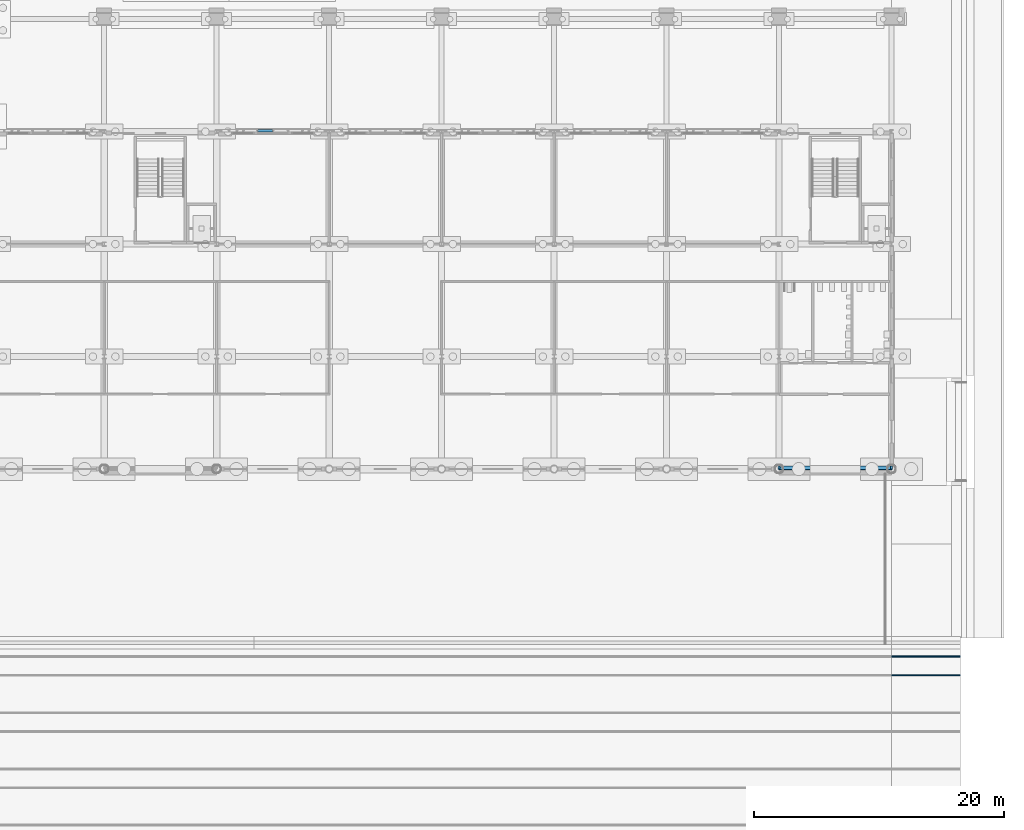
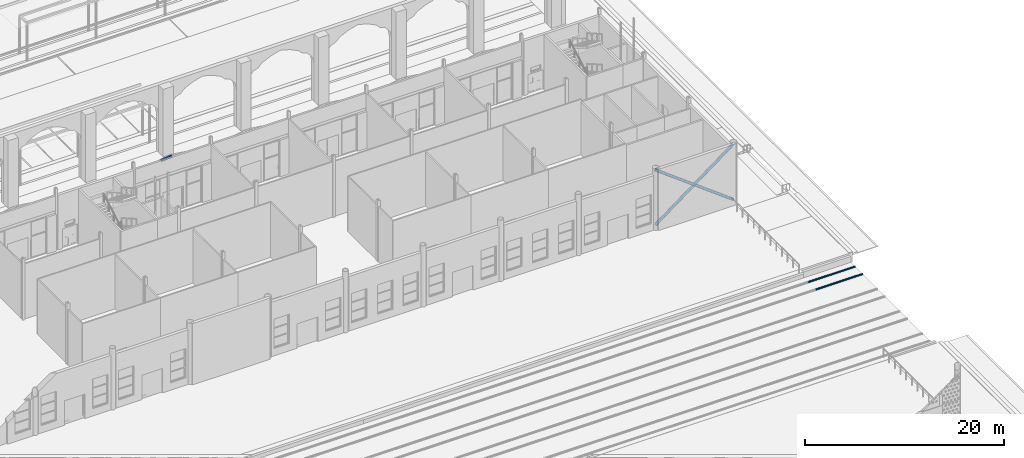
# One storey, part 56 of 250: 4 members, 1 beam.
"""IFC4 building model written with IfcOpenShell, lengths in metres."""

from ifc_helpers import new_model, si_unit, direction, frame, origin, origin_2d, place, context, subcontext, project, spatial, polyline, rectangle, hollow_circle, outline, extrude, material, material_profile, profile_set, type_object, element, save


model = new_model("IFC4")

# Units and contexts
model_context = context("Model", 3, precision=1e-05, world=origin(), true_north=direction((0.0, 1.0)))
body_context = subcontext(model_context, "Body", "Model", "MODEL_VIEW")
ifc_project = project(units=[si_unit("LENGTHUNIT", "METRE"), si_unit("AREAUNIT", "SQUARE_METRE"), si_unit("VOLUMEUNIT", "CUBIC_METRE"), si_unit("PLANEANGLEUNIT", "RADIAN"), si_unit("MASSUNIT", "GRAM", prefix="KILO")], contexts=[model_context])

# Site, building, storey
site_placement = place(None, origin())
site = spatial("IfcSite", under=ifc_project, at=site_placement, CompositionType="ELEMENT")
building_placement = place(site_placement, origin())
building = spatial("IfcBuilding", under=site, at=building_placement, Name="Baradari Gate Terminus", CompositionType="ELEMENT")
storey_placement = place(building_placement, origin())
storey = spatial("IfcBuildingStorey", under=building, at=storey_placement, Name="L00", CompositionType="ELEMENT", Elevation=0.0)

# Beam
ifc_material_1 = material(Name="Concrete C40/50 precast", Category="concrete")
ifc_material_profile_1 = material_profile(ifc_material_1, rectangle(XDim=0.199951171875, YDim=0.25, at=origin_2d()), Name="AB-1 200X250")
ifc_profile_set_1 = profile_set([ifc_material_profile_1], Name="Concrete C40/50 precast")
beam_type = type_object("IfcBeamType", Name="Arcade arch segment AB-1 200x250", PredefinedType="BEAM", material=ifc_profile_set_1)
beam_placement = place(storey_placement, frame((192.27587890625, 108.07861328125, 6.492919921875), z_axis=(0.992656897947, 0.0, 0.120963973802), x_axis=(0.0, 1.0, 0.0)))
element("IfcBeam", 1, at=beam_placement, inside=storey, type_object=beam_type, Name="Arcade arch AB-1 bay 21 segment 6", PredefinedType="BEAM", context=body_context, shape_type="SweptSolid", body=[
    extrude(rectangle(XDim=0.199951171875, YDim=0.25, at=origin_2d()), origin(), (0.0, 0.0, 1.0), 1.233154296875),
])

# Members
ifc_material_2 = material(Name="Steel S355", Category="steel")
ifc_material_profile_2 = material_profile(ifc_material_2, hollow_circle(Radius=0.161865234375, WallThickness=0.01611328125, at=origin_2d()), Name="CHS 323.9x16")
ifc_profile_set_2 = profile_set([ifc_material_profile_2], Name="Steel S355")
member_type_1 = type_object("IfcMemberType", Name="Column bracing X07 CHS 323.9x16", PredefinedType="BRACE", material=ifc_profile_set_2)
for number, where, z_axis, x_axis, name in (
    (2, (234.0, 81.10009765625, 0.35009765625), (0.8, 0.0, 0.6), (0.0, 1.0, 0.0), "Column bracing 27-28 line K L00"),
    (3, (243.0, 81.10009765625, 0.35009765625), (-0.8, 0.0, 0.6), (0.0, -1.0, 0.0), "Column bracing 27-28 line K L00"),
):
    element("IfcMember", number, at=place(storey_placement, frame(where, z_axis=z_axis, x_axis=x_axis)), inside=storey, type_object=member_type_1, Name=name, PredefinedType="BRACE", context=body_context, shape_type="SweptSolid", body=[
        extrude(hollow_circle(Radius=0.161865234375, WallThickness=0.01611328125, at=origin_2d()), origin(), (0.0, 0.0, 1.0), 11.25),
    ])
ifc_material_3 = material(Name="Steel R260", Category="steel")
ifc_material_profile_3 = material_profile(ifc_material_3, outline(polyline([(-0.074951171875, 0.0), (0.074951171875, 0.0), (0.074951171875, 0.010986328125), (0.0400390625, 0.01708984375), (0.00830078125, 0.028076171875), (0.00830078125, 0.092041015625), (0.02001953125, 0.10400390625), (0.035888671875, 0.1220703125), (0.035888671875, 0.159912109375), (0.030029296875, 0.172119140625), (-0.030029296875, 0.172119140625), (-0.035888671875, 0.159912109375), (-0.035888671875, 0.1220703125), (-0.02001953125, 0.10400390625), (-0.00830078125, 0.092041015625), (-0.00830078125, 0.028076171875), (-0.0400390625, 0.01708984375), (-0.074951171875, 0.010986328125), (-0.074951171875, 0.0)])), Name="UIC 60 (60E1)")
ifc_profile_set_3 = profile_set([ifc_material_profile_3], Name="Steel R260")
member_type_2 = type_object("IfcMemberType", Name="Rail UIC 60 RL1", PredefinedType="USERDEFINED", material=ifc_profile_set_3)
for number, where, z_axis, x_axis, name in (
    (4, (243.0, 64.49658203125, -0.721923828125), (1.0, 0.0, 0.0), (0.0, 1.0, 0.0), "Rail T4a E"),
    (5, (243.0, 66.00341796875, -0.721923828125), (1.0, 0.0, 0.0), (0.0, 1.0, 0.0), "Rail T4b E"),
):
    element("IfcMember", number, at=place(storey_placement, frame(where, z_axis=z_axis, x_axis=x_axis)), inside=storey, type_object=member_type_2, Name=name, ObjectType="RAIL", PredefinedType="USERDEFINED", context=body_context, shape_type="SweptSolid", body=[
        extrude(outline(polyline([(-0.074951171875, 0.0), (0.074951171875, 0.0), (0.074951171875, 0.010986328125), (0.0400390625, 0.01708984375), (0.00830078125, 0.028076171875), (0.00830078125, 0.092041015625), (0.02001953125, 0.10400390625), (0.035888671875, 0.1220703125), (0.035888671875, 0.159912109375), (0.030029296875, 0.172119140625), (-0.030029296875, 0.172119140625), (-0.035888671875, 0.159912109375), (-0.035888671875, 0.1220703125), (-0.02001953125, 0.10400390625), (-0.00830078125, 0.092041015625), (-0.00830078125, 0.028076171875), (-0.0400390625, 0.01708984375), (-0.074951171875, 0.010986328125), (-0.074951171875, 0.0)])), origin(), (0.0, 0.0, 1.0), 5.5),
    ])

save(model, "model.ifc")
